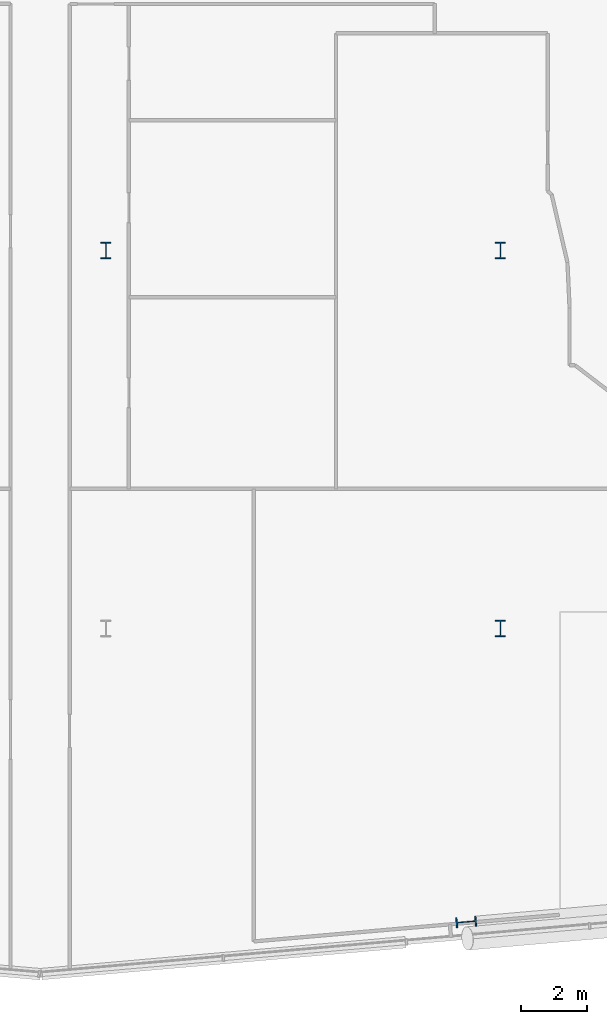
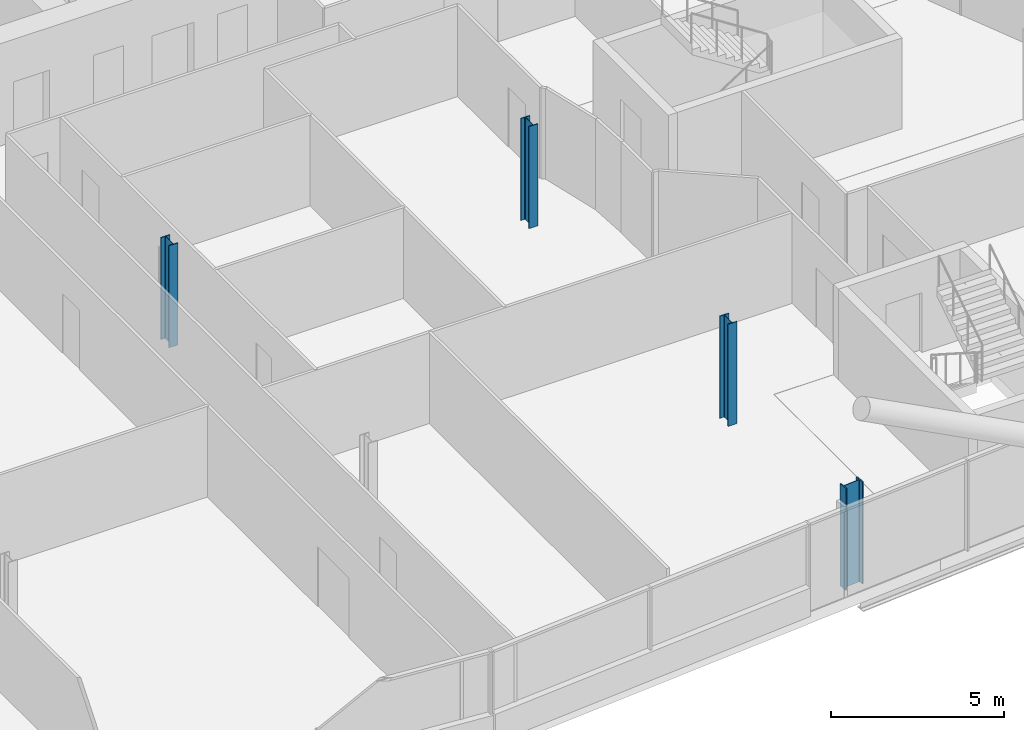
# One storey, part 2 of 26: 4 columns.
"""IFC4 building model written with IfcOpenShell, lengths in metres."""

from ifc_helpers import new_model, si_unit, direction, frame, origin, origin_2d, place, context, subcontext, project, spatial, i_section, extrude, material, material_profile, profile_set, type_object, element, save


model = new_model("IFC4")

# Units and contexts
model_context = context("Model", 3, precision=1e-05, world=origin(), true_north=direction((0.0, 1.0)))
body_context = subcontext(model_context, "Body", "Model", "MODEL_VIEW")
ifc_project = project(units=[si_unit("LENGTHUNIT", "METRE"), si_unit("AREAUNIT", "SQUARE_METRE"), si_unit("VOLUMEUNIT", "CUBIC_METRE"), si_unit("PLANEANGLEUNIT", "RADIAN"), si_unit("MASSUNIT", "GRAM", prefix="KILO")], contexts=[model_context])

# Site, building, storey
site_placement = place(None, origin())
site = spatial("IfcSite", under=ifc_project, at=site_placement, CompositionType="ELEMENT")
building_placement = place(site_placement, origin())
building = spatial("IfcBuilding", under=site, at=building_placement, Name="Wharfspan Tower", CompositionType="ELEMENT")
storey_placement = place(building_placement, frame((0.0, 0.0, 173.5)))
storey = spatial("IfcBuildingStorey", under=building, at=storey_placement, Name="L42", CompositionType="ELEMENT", Elevation=173.5)

# Columns
ifc_material = material(Name="Steel S355J2", Category="steel")
ifc_material_profile_1 = material_profile(ifc_material, i_section(OverallWidth=0.300049, OverallDepth=0.5, WebThickness=0.014404, FlangeThickness=0.028076, FilletRadius=0.0271, at=origin_2d()))
ifc_profile_set_1 = profile_set([ifc_material_profile_1], Name="Steel S355J2")
column_type_1 = type_object("IfcColumnType", Name="Column HEB 500", PredefinedType="COLUMN", material=ifc_profile_set_1)
for number, where, z_axis, x_axis, name in (
    (1, (60.0, 11.5, 0.0), (0.0, 0.0, 1.0), (1.0, 0.0, 0.0), "Interior column I.1.4 L42"),
    (2, (48.0, 23.0, 0.0), (0.0, 0.0, 1.0), (1.0, 0.0, 0.0), "Interior column I.2.3 L42"),
    (3, (60.0, 23.0, 0.0), (0.0, 0.0, 1.0), (1.0, 0.0, 0.0), "Interior column I.2.4 L42"),
):
    element("IfcColumn", number, at=place(storey_placement, frame(where, z_axis=z_axis, x_axis=x_axis)), inside=storey, type_object=column_type_1, Name=name, PredefinedType="COLUMN", context=body_context, shape_type="SweptSolid", body=[
        extrude(i_section(OverallWidth=0.300049, OverallDepth=0.5, WebThickness=0.014404, FlangeThickness=0.028076, FilletRadius=0.0271, at=origin_2d()), origin(), (0.0, 0.0, 1.0), 3.600098),
    ])
ifc_material_profile_2 = material_profile(ifc_material, i_section(OverallWidth=0.304932, OverallDepth=0.620117, WebThickness=0.020996, FlangeThickness=0.040039, FilletRadius=0.0271, at=origin_2d()))
ifc_profile_set_2 = profile_set([ifc_material_profile_2], Name="Steel S355J2")
column_type_2 = type_object("IfcColumnType", Name="Column HEM 600", PredefinedType="COLUMN", material=ifc_profile_set_2)
column_placement = place(storey_placement, frame((58.960693, 2.573486, 0.0), z_axis=(0.0, 0.0, 1.0), x_axis=(0.087156, -0.996198, 0.0)))
element("IfcColumn", 4, at=column_placement, inside=storey, type_object=column_type_2, Name="Perimeter column PS2.1 L42", PredefinedType="COLUMN", context=body_context, shape_type="SweptSolid", body=[
    extrude(i_section(OverallWidth=0.304932, OverallDepth=0.620117, WebThickness=0.020996, FlangeThickness=0.040039, FilletRadius=0.0271, at=origin_2d()), origin(), (0.0, 0.0, 1.0), 3.600098),
])

save(model, "model.ifc")
